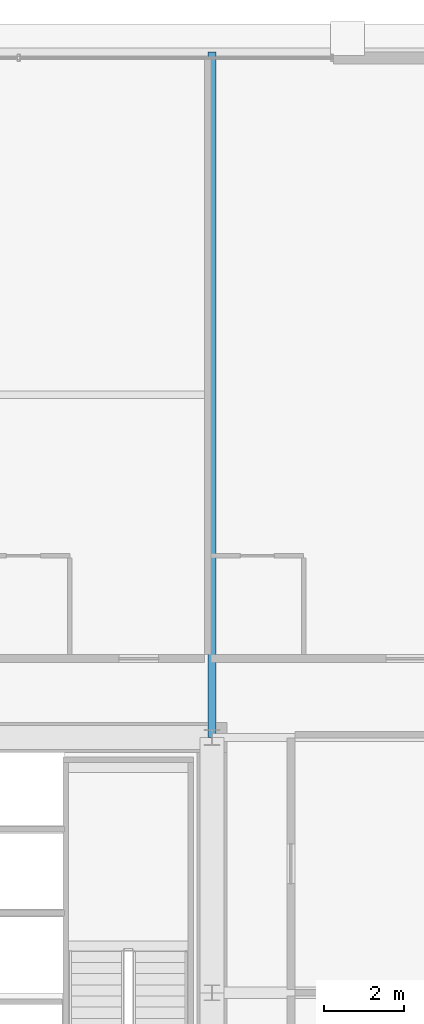
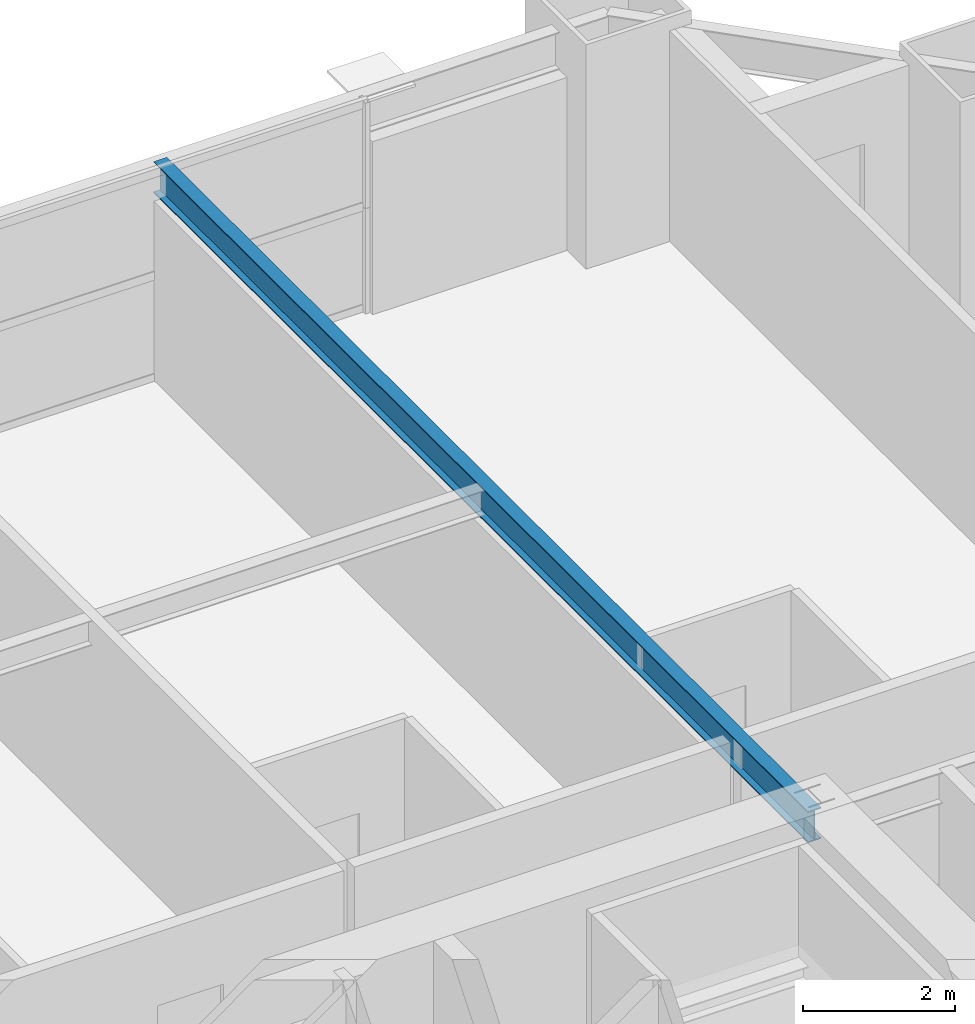
# One storey, part 28 of 39: 1 beam.
"""IFC4 building model written with IfcOpenShell, lengths in metres."""

from ifc_helpers import new_model, si_unit, direction, frame, origin, origin_2d, place, context, subcontext, project, spatial, i_section, extrude, source, transform, mapped, material, material_profile, profile_set, type_object, element, save


model = new_model("IFC4")

# Units and contexts
model_context = context("Model", 3, precision=1e-05, world=origin(), true_north=direction((0.0, 1.0)))
body_context = subcontext(model_context, "Body", "Model", "MODEL_VIEW")
ifc_project = project(units=[si_unit("LENGTHUNIT", "METRE"), si_unit("AREAUNIT", "SQUARE_METRE"), si_unit("VOLUMEUNIT", "CUBIC_METRE"), si_unit("PLANEANGLEUNIT", "RADIAN"), si_unit("MASSUNIT", "GRAM", prefix="KILO"), si_unit("THERMODYNAMICTEMPERATUREUNIT", "KELVIN"), si_unit("POWERUNIT", "WATT")], contexts=[model_context])

# Site, building, storey
site_placement = place(None, origin())
site = spatial("IfcSite", under=ifc_project, at=site_placement, CompositionType="ELEMENT")
building_placement = place(site_placement, origin())
building = spatial("IfcBuilding", under=site, at=building_placement, Name="Yuzanri Waterfront Tower", CompositionType="ELEMENT")
storey_placement = place(building_placement, frame((0.0, 0.0, 156.0)))
storey = spatial("IfcBuildingStorey", under=building, at=storey_placement, Name="L41", CompositionType="ELEMENT", Elevation=156.0)

# Beam
ifc_material = material(Name="Steel Q355B", Category="steel")
ifc_material_profile = material_profile(ifc_material, i_section(OverallWidth=0.199951171875, OverallDepth=0.5, WebThickness=0.010009765625, FlangeThickness=0.01611328125, at=origin_2d()), Name="HN 500x200x10x16")
ifc_profile_set = profile_set([ifc_material_profile], Name="Steel Q355B")
beam_type = type_object("IfcBeamType", Name="Secondary Floor Beam Q355B HN 500x200", PredefinedType="BEAM", material=ifc_profile_set)
shared_shape = source(origin(), body_context, "Body", "SweptSolid", [
    extrude(i_section(OverallWidth=0.199951171875, OverallDepth=0.5, WebThickness=0.010009765625, FlangeThickness=0.01611328125, at=origin_2d()), origin(), (0.0, 0.0, 1.0), 17.199951171875),
])
beam_placement = place(storey_placement, frame((50.199951171875, 32.199951171875, 3.1298828125), z_axis=(0.0, 1.0, 0.0), x_axis=(-1.0, 0.0, 0.0)))
element("IfcBeam", 1, at=beam_placement, inside=storey, type_object=beam_type, Name="L41 North-East Core Line Beam", PredefinedType="BEAM", context=body_context, shape_type="MappedRepresentation", body=[
    mapped(shared_shape, transform((0.0, 0.0, 0.0), scale=1.0)),
])

save(model, "model.ifc")
